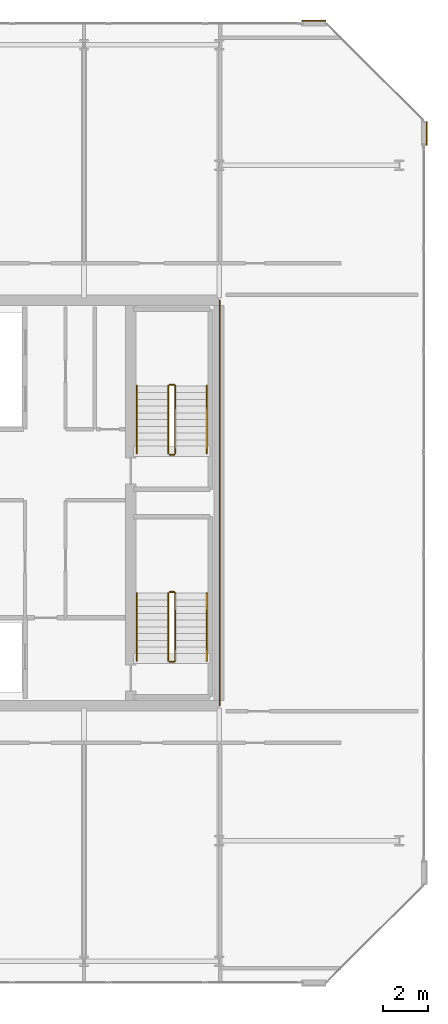
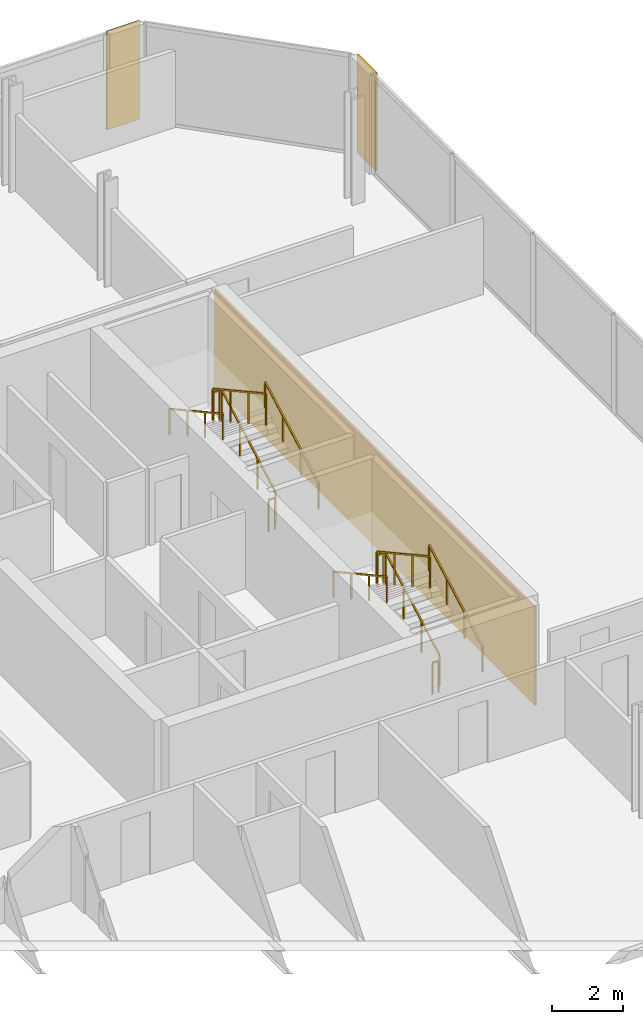
# One storey, part 19 of 19: 12 railings, 3 coverings.
"""IFC4 building model written with IfcOpenShell, lengths in metres."""

from ifc_helpers import new_model, si_unit, direction, frame, origin, origin_2d, place, context, subcontext, project, spatial, rectangle, extrude, material, layer, layer_set, type_object, element, save


model = new_model("IFC4")

# Units and contexts
model_context = context("Model", 3, precision=1e-05, world=origin(), true_north=direction((0.0, 1.0)))
body_context = subcontext(model_context, "Body", "Model", "MODEL_VIEW")
ifc_project = project(units=[si_unit("LENGTHUNIT", "METRE"), si_unit("AREAUNIT", "SQUARE_METRE"), si_unit("VOLUMEUNIT", "CUBIC_METRE"), si_unit("PLANEANGLEUNIT", "RADIAN"), si_unit("MASSUNIT", "GRAM", prefix="KILO")], contexts=[model_context])

# Site, building, storey
site_placement = place(None, origin())
site = spatial("IfcSite", under=ifc_project, at=site_placement, CompositionType="ELEMENT")
building_placement = place(site_placement, origin())
building = spatial("IfcBuilding", under=site, at=building_placement, Name="Tanjung Sevakor Pilgrim Tower", CompositionType="ELEMENT")
storey_placement = place(building_placement, frame((0.0, 0.0, 260.699951171875)))
storey = spatial("IfcBuildingStorey", under=building, at=storey_placement, Name="L73", CompositionType="ELEMENT", Elevation=260.699951171875)

# Coverings
ifc_material_1 = material(Name="Reconstructed Limestone Cladding", Category="masonry")
ifc_layer = layer(ifc_material_1, 0.044921875)
ifc_layer_set = layer_set([ifc_layer], Name="COV-CLAD-LIMESTONE")
covering_type = type_object("IfcCoveringType", Name="COV-CLAD-LIMESTONE", PredefinedType="CLADDING", material=ifc_layer_set)
for number, where, z_axis, x_axis, name in (
    (1, (99.222412109375, 50.00439453125, 0.02001953125), (0.0, 0.0, 1.0), (0.0, 1.0, 0.0), "L73 Warm Limestone Wall Cladding EW-CRN2-L73-EAST-2-1"),
    (2, (94.204345703125, 55.0224609375, 0.02001953125), (0.0, 0.0, 1.0), (-1.0, 0.0, 0.0), "L73 Warm Limestone Wall Cladding EW-CRN1-L73-EAST-4-1"),
):
    element("IfcCovering", number, at=place(storey_placement, frame(where, z_axis=z_axis, x_axis=x_axis)), inside=storey, type_object=covering_type, Name=name, PredefinedType="CLADDING", context=body_context, shape_type="SweptSolid", body=[
        extrude(rectangle(XDim=1.06005859375, YDim=0.044921875, at=origin_2d()), origin(), (0.0, 0.0, 1.0), 3.3701171875),
    ])
covering_placement = place(storey_placement, frame((90.0224609375, 33.60009765625, 0.02001953125), z_axis=(0.0, 0.0, 1.0), x_axis=(1.0, 0.0, 0.0)))
element("IfcCovering", 3, at=covering_placement, inside=storey, type_object=covering_type, Name="L73 Expressed Core Warm Limestone Cladding E", PredefinedType="CLADDING", context=body_context, shape_type="SweptSolid", body=[
    extrude(rectangle(XDim=0.044921875, YDim=18.0, at=origin_2d()), origin(), (0.0, 0.0, 1.0), 3.3701171875),
])

# Railings
ifc_material_2 = material(Name="Steel S355J2", Category="steel")
railing_type_1 = type_object("IfcRailingType", Name="RL-STAIR-GUARD", PredefinedType="GUARDRAIL", material=ifc_material_2)
railing_1_placement = place(storey_placement, frame((88.050048828125, 26.60009765625, 0.1650390625)))
element("IfcRailing", 4, at=railing_1_placement, inside=storey, type_object=railing_type_1, Name="L73 TS-E1 stair guard 1", PredefinedType="GUARDRAIL", context=body_context, shape_type="SweptSolid", body=[
    extrude(rectangle(XDim=0.0479, YDim=0.0479), frame((0.0, 0.0, 1.076171875), z_axis=(0.0, 0.876227952683, 0.48189685093), x_axis=(-1.0, 0.0, 0.0)), (0.0, 0.0, 1.0), 3.423828125),
    extrude(rectangle(XDim=0.042, YDim=0.042), origin(), (0.0, 0.0, 1.0), 1.052001953125),
    extrude(rectangle(XDim=0.042, YDim=0.042), frame((0.0, 1.0, 0.550048828125)), (0.0, 0.0, 1.0), 1.052001953125),
    extrude(rectangle(XDim=0.042, YDim=0.042), frame((0.0, 2.0, 1.099853515625)), (0.0, 0.0, 1.0), 1.052001953125),
    extrude(rectangle(XDim=0.042, YDim=0.042), frame((0.0, 3.0, 1.64990234375)), (0.0, 0.0, 1.0), 1.052001953125),
])
railing_2_placement = place(storey_placement, frame((88.0, 29.64990234375, 1.81494140625)))
element("IfcRailing", 5, at=railing_2_placement, inside=storey, type_object=railing_type_1, Name="L73 TS-E1 stair guard 2", PredefinedType="GUARDRAIL", context=body_context, shape_type="SweptSolid", body=[
    extrude(rectangle(XDim=0.0479, YDim=0.0479), frame((0.0, 0.0, 1.076171875), z_axis=(-1.0, 0.0, 0.0), x_axis=(0.0, -1.0, 0.0)), (0.0, 0.0, 1.0), 0.199951171875),
    extrude(rectangle(XDim=0.042, YDim=0.042), origin(), (0.0, 0.0, 1.0), 1.052001953125),
    extrude(rectangle(XDim=0.042, YDim=0.042), frame((-0.199951171875, 0.0, 0.0)), (0.0, 0.0, 1.0), 1.052001953125),
])
railing_3_placement = place(storey_placement, frame((87.75, 29.60009765625, 1.97998046875)))
element("IfcRailing", 6, at=railing_3_placement, inside=storey, type_object=railing_type_1, Name="L73 TS-E1 stair guard 3", PredefinedType="GUARDRAIL", context=body_context, shape_type="SweptSolid", body=[
    extrude(rectangle(XDim=0.0479, YDim=0.0479), frame((0.0, 0.0, 1.076171875), z_axis=(0.0, -0.876197842262, 0.481951596342), x_axis=(1.0, 0.0, 0.0)), (0.0, 0.0, 1.0), 3.423828125),
    extrude(rectangle(XDim=0.042, YDim=0.042), origin(), (0.0, 0.0, 1.0), 1.052001953125),
    extrude(rectangle(XDim=0.042, YDim=0.042), frame((0.0, -1.0, 0.550048828125)), (0.0, 0.0, 1.0), 1.052001953125),
    extrude(rectangle(XDim=0.042, YDim=0.042), frame((0.0, -2.0, 1.10009765625)), (0.0, 0.0, 1.0), 1.052001953125),
    extrude(rectangle(XDim=0.042, YDim=0.042), frame((0.0, -3.0, 1.650146484375)), (0.0, 0.0, 1.0), 1.052001953125),
])
railing_4_placement = place(storey_placement, frame((88.0, 26.550048828125, 0.0)))
element("IfcRailing", 7, at=railing_4_placement, inside=storey, type_object=railing_type_1, Name="L73 TS-E1 stair guard 4", PredefinedType="GUARDRAIL", context=body_context, shape_type="SweptSolid", body=[
    extrude(rectangle(XDim=0.0479, YDim=0.0479), frame((0.0, 0.0, 1.076171875), z_axis=(-1.0, 0.0, 0.0), x_axis=(0.0, -1.0, 0.0)), (0.0, 0.0, 1.0), 0.199951171875),
    extrude(rectangle(XDim=0.042, YDim=0.042), origin(), (0.0, 0.0, 1.0), 1.052001953125),
    extrude(rectangle(XDim=0.042, YDim=0.042), frame((-0.199951171875, 0.0, 0.0)), (0.0, 0.0, 1.0), 1.052001953125),
])
railing_5_placement = place(storey_placement, frame((88.050048828125, 35.800048828125, 0.1650390625)))
element("IfcRailing", 8, at=railing_5_placement, inside=storey, type_object=railing_type_1, Name="L73 TS-E2 stair guard 1", PredefinedType="GUARDRAIL", context=body_context, shape_type="SweptSolid", body=[
    extrude(rectangle(XDim=0.0479, YDim=0.0479), frame((0.0, 0.0, 1.076171875), z_axis=(0.0, 0.876227952683, 0.48189685093), x_axis=(-1.0, 0.0, 0.0)), (0.0, 0.0, 1.0), 3.423828125),
    extrude(rectangle(XDim=0.042, YDim=0.042), origin(), (0.0, 0.0, 1.0), 1.052001953125),
    extrude(rectangle(XDim=0.042, YDim=0.042), frame((0.0, 1.0, 0.550048828125)), (0.0, 0.0, 1.0), 1.052001953125),
    extrude(rectangle(XDim=0.042, YDim=0.042), frame((0.0, 2.0, 1.099853515625)), (0.0, 0.0, 1.0), 1.052001953125),
    extrude(rectangle(XDim=0.042, YDim=0.042), frame((0.0, 3.0, 1.64990234375)), (0.0, 0.0, 1.0), 1.052001953125),
])
railing_6_placement = place(storey_placement, frame((88.0, 38.85009765625, 1.81494140625)))
element("IfcRailing", 9, at=railing_6_placement, inside=storey, type_object=railing_type_1, Name="L73 TS-E2 stair guard 2", PredefinedType="GUARDRAIL", context=body_context, shape_type="SweptSolid", body=[
    extrude(rectangle(XDim=0.0479, YDim=0.0479), frame((0.0, 0.0, 1.076171875), z_axis=(-1.0, 0.0, 0.0), x_axis=(0.0, -1.0, 0.0)), (0.0, 0.0, 1.0), 0.199951171875),
    extrude(rectangle(XDim=0.042, YDim=0.042), origin(), (0.0, 0.0, 1.0), 1.052001953125),
    extrude(rectangle(XDim=0.042, YDim=0.042), frame((-0.199951171875, 0.0, 0.0)), (0.0, 0.0, 1.0), 1.052001953125),
])
railing_7_placement = place(storey_placement, frame((87.75, 38.800048828125, 1.97998046875)))
element("IfcRailing", 10, at=railing_7_placement, inside=storey, type_object=railing_type_1, Name="L73 TS-E2 stair guard 3", PredefinedType="GUARDRAIL", context=body_context, shape_type="SweptSolid", body=[
    extrude(rectangle(XDim=0.0479, YDim=0.0479), frame((0.0, 0.0, 1.076171875), z_axis=(0.0, -0.876197842262, 0.481951596342), x_axis=(1.0, 0.0, 0.0)), (0.0, 0.0, 1.0), 3.423828125),
    extrude(rectangle(XDim=0.042, YDim=0.042), origin(), (0.0, 0.0, 1.0), 1.052001953125),
    extrude(rectangle(XDim=0.042, YDim=0.042), frame((0.0, -1.0, 0.550048828125)), (0.0, 0.0, 1.0), 1.052001953125),
    extrude(rectangle(XDim=0.042, YDim=0.042), frame((0.0, -2.0, 1.10009765625)), (0.0, 0.0, 1.0), 1.052001953125),
    extrude(rectangle(XDim=0.042, YDim=0.042), frame((0.0, -3.0, 1.650146484375)), (0.0, 0.0, 1.0), 1.052001953125),
])
railing_8_placement = place(storey_placement, frame((88.0, 35.75, 0.0)))
element("IfcRailing", 11, at=railing_8_placement, inside=storey, type_object=railing_type_1, Name="L73 TS-E2 stair guard 4", PredefinedType="GUARDRAIL", context=body_context, shape_type="SweptSolid", body=[
    extrude(rectangle(XDim=0.0479, YDim=0.0479), frame((0.0, 0.0, 1.076171875), z_axis=(-1.0, 0.0, 0.0), x_axis=(0.0, -1.0, 0.0)), (0.0, 0.0, 1.0), 0.199951171875),
    extrude(rectangle(XDim=0.042, YDim=0.042), origin(), (0.0, 0.0, 1.0), 1.052001953125),
    extrude(rectangle(XDim=0.042, YDim=0.042), frame((-0.199951171875, 0.0, 0.0)), (0.0, 0.0, 1.0), 1.052001953125),
])
ifc_material_3 = material(Name="Steel S355J2", Category="steel")
railing_type_2 = type_object("IfcRailingType", Name="RL-STAIR-HAND", PredefinedType="HANDRAIL", material=ifc_material_3)
railing_9_placement = place(storey_placement, frame((89.449951171875, 26.60009765625, 0.1650390625)))
element("IfcRailing", 12, at=railing_9_placement, inside=storey, type_object=railing_type_2, Name="L73 TS-E1 stair handrail 1", PredefinedType="HANDRAIL", context=body_context, shape_type="SweptSolid", body=[
    extrude(rectangle(XDim=0.0479, YDim=0.0479), frame((0.0, 0.0, 0.8759765625), z_axis=(0.0, 0.876227952683, 0.48189685093), x_axis=(-1.0, 0.0, 0.0)), (0.0, 0.0, 1.0), 3.423828125),
    extrude(rectangle(XDim=0.042, YDim=0.042), origin(), (0.0, 0.0, 1.0), 0.851806640625),
    extrude(rectangle(XDim=0.042, YDim=0.042), frame((0.0, 1.0, 0.550048828125)), (0.0, 0.0, 1.0), 0.851806640625),
    extrude(rectangle(XDim=0.042, YDim=0.042), frame((0.0, 2.0, 1.099853515625)), (0.0, 0.0, 1.0), 0.851806640625),
    extrude(rectangle(XDim=0.042, YDim=0.042), frame((0.0, 3.0, 1.64990234375)), (0.0, 0.0, 1.0), 0.851806640625),
])
railing_10_placement = place(storey_placement, frame((86.35009765625, 29.60009765625, 1.97998046875)))
element("IfcRailing", 13, at=railing_10_placement, inside=storey, type_object=railing_type_2, Name="L73 TS-E1 stair handrail 2", PredefinedType="HANDRAIL", context=body_context, shape_type="SweptSolid", body=[
    extrude(rectangle(XDim=0.0479, YDim=0.0479), frame((0.0, 0.0, 0.8759765625), z_axis=(0.0, -0.876197842262, 0.481951596342), x_axis=(1.0, 0.0, 0.0)), (0.0, 0.0, 1.0), 3.423828125),
    extrude(rectangle(XDim=0.042, YDim=0.042), origin(), (0.0, 0.0, 1.0), 0.851806640625),
    extrude(rectangle(XDim=0.042, YDim=0.042), frame((0.0, -1.0, 0.550048828125)), (0.0, 0.0, 1.0), 0.851806640625),
    extrude(rectangle(XDim=0.042, YDim=0.042), frame((0.0, -2.0, 1.10009765625)), (0.0, 0.0, 1.0), 0.851806640625),
    extrude(rectangle(XDim=0.042, YDim=0.042), frame((0.0, -3.0, 1.650146484375)), (0.0, 0.0, 1.0), 0.851806640625),
])
railing_11_placement = place(storey_placement, frame((89.449951171875, 35.800048828125, 0.1650390625)))
element("IfcRailing", 14, at=railing_11_placement, inside=storey, type_object=railing_type_2, Name="L73 TS-E2 stair handrail 1", PredefinedType="HANDRAIL", context=body_context, shape_type="SweptSolid", body=[
    extrude(rectangle(XDim=0.0479, YDim=0.0479), frame((0.0, 0.0, 0.8759765625), z_axis=(0.0, 0.876227952683, 0.48189685093), x_axis=(-1.0, 0.0, 0.0)), (0.0, 0.0, 1.0), 3.423828125),
    extrude(rectangle(XDim=0.042, YDim=0.042), origin(), (0.0, 0.0, 1.0), 0.851806640625),
    extrude(rectangle(XDim=0.042, YDim=0.042), frame((0.0, 1.0, 0.550048828125)), (0.0, 0.0, 1.0), 0.851806640625),
    extrude(rectangle(XDim=0.042, YDim=0.042), frame((0.0, 2.0, 1.099853515625)), (0.0, 0.0, 1.0), 0.851806640625),
    extrude(rectangle(XDim=0.042, YDim=0.042), frame((0.0, 3.0, 1.64990234375)), (0.0, 0.0, 1.0), 0.851806640625),
])
railing_12_placement = place(storey_placement, frame((86.35009765625, 38.800048828125, 1.97998046875)))
element("IfcRailing", 15, at=railing_12_placement, inside=storey, type_object=railing_type_2, Name="L73 TS-E2 stair handrail 2", PredefinedType="HANDRAIL", context=body_context, shape_type="SweptSolid", body=[
    extrude(rectangle(XDim=0.0479, YDim=0.0479), frame((0.0, 0.0, 0.8759765625), z_axis=(0.0, -0.876197842262, 0.481951596342), x_axis=(1.0, 0.0, 0.0)), (0.0, 0.0, 1.0), 3.423828125),
    extrude(rectangle(XDim=0.042, YDim=0.042), origin(), (0.0, 0.0, 1.0), 0.851806640625),
    extrude(rectangle(XDim=0.042, YDim=0.042), frame((0.0, -1.0, 0.550048828125)), (0.0, 0.0, 1.0), 0.851806640625),
    extrude(rectangle(XDim=0.042, YDim=0.042), frame((0.0, -2.0, 1.10009765625)), (0.0, 0.0, 1.0), 0.851806640625),
    extrude(rectangle(XDim=0.042, YDim=0.042), frame((0.0, -3.0, 1.650146484375)), (0.0, 0.0, 1.0), 0.851806640625),
])

save(model, "model.ifc")
